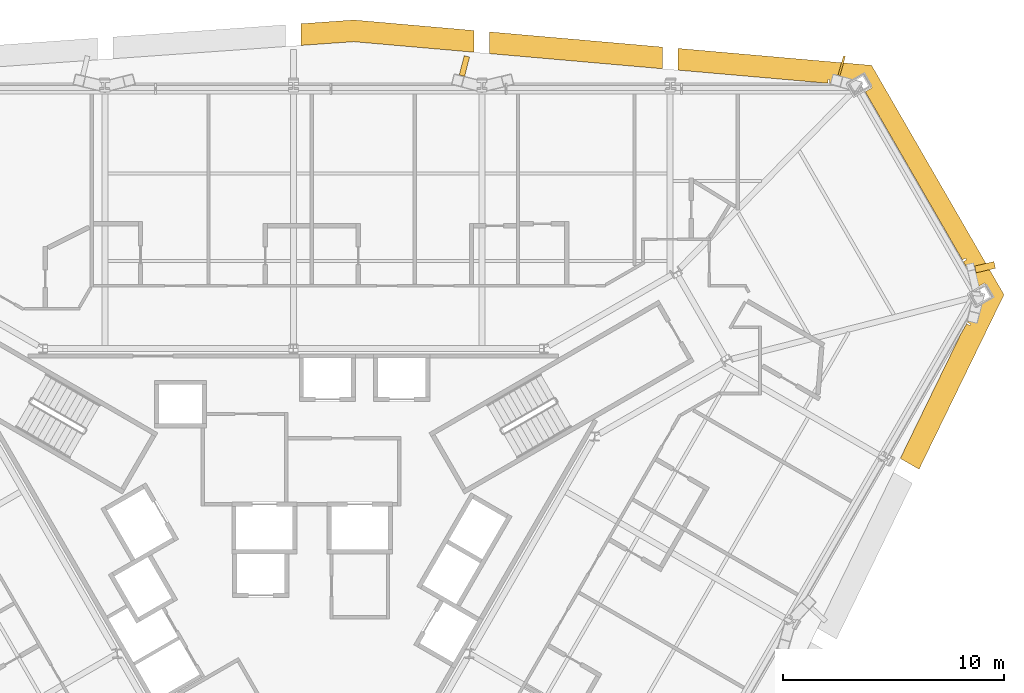
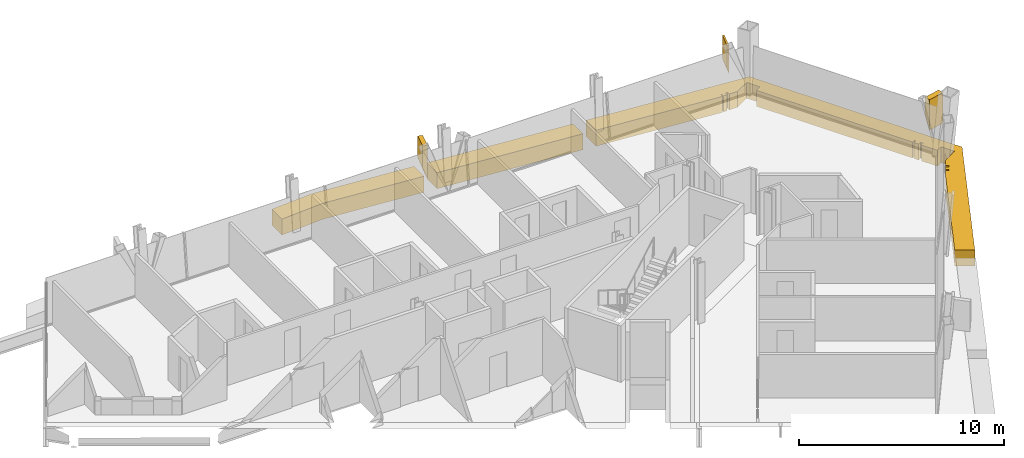
# One storey, part 17 of 17: 6 coverings.
"""IFC4 building model written with IfcOpenShell, lengths in metres."""

from ifc_helpers import new_model, si_unit, direction, frame, origin, place, context, subcontext, project, spatial, polyline, outline, extrude, material, layer, layer_set, type_object, element, save


model = new_model("IFC4")

# Units and contexts
model_context = context("Model", 3, precision=1e-05, world=origin(), true_north=direction((0.0, 1.0)))
body_context = subcontext(model_context, "Body", "Model", "MODEL_VIEW")
ifc_project = project(units=[si_unit("LENGTHUNIT", "METRE"), si_unit("AREAUNIT", "SQUARE_METRE"), si_unit("VOLUMEUNIT", "CUBIC_METRE"), si_unit("PLANEANGLEUNIT", "RADIAN"), si_unit("MASSUNIT", "GRAM", prefix="KILO")], contexts=[model_context])

# Site, building, storey
site_placement = place(None, origin())
site = spatial("IfcSite", under=ifc_project, at=site_placement, CompositionType="ELEMENT")
building_placement = place(site_placement, origin())
building = spatial("IfcBuilding", under=site, at=building_placement, Name="Verrane Prism Tower", CompositionType="ELEMENT")
storey_placement = place(building_placement, frame((0.0, 0.0, 62.0)))
storey = spatial("IfcBuildingStorey", under=building, at=storey_placement, Name="L13", CompositionType="ELEMENT", Elevation=62.0)

# Coverings
ifc_material_1 = material(Name="Warm limestone cladding", Category="masonry")
ifc_layer_1 = layer(ifc_material_1, 0.89990234375)
ifc_layer_set_1 = layer_set([ifc_layer_1], Name="Stone brace fin 900")
covering_type_1 = type_object("IfcCoveringType", Name="Stone brace fin 900", PredefinedType="CLADDING", material=ifc_layer_set_1)
covering_1_placement = place(storey_placement, frame((24.835693359375, 21.97216796875, 0.96923828125), z_axis=(0.0, 0.0, 1.0), x_axis=(-0.962414339861, 0.271585416454, 0.0)))
element("IfcCovering", 1, at=covering_1_placement, inside=storey, type_object=covering_type_1, Name="Stone brace fin N1 L13", PredefinedType="CLADDING", context=body_context, shape_type="SweptSolid", body=[
    extrude(outline(polyline([(0.092529296875, 1.6806640625), (0.0, 1.6806640625), (0.0, 0.0), (0.092529296875, 0.29638671875), (0.092529296875, 1.6806640625)])), frame((0.0, 0.449951171875, 0.0), z_axis=(0.0, -1.0, 0.0), x_axis=(1.0, 0.0, 0.0)), (0.0, 0.0, 1.0), 0.89990234375),
])
covering_2_placement = place(storey_placement, frame((7.853515625, 21.93896484375, 0.622314453125), z_axis=(0.0, 0.0, 1.0), x_axis=(-0.968753806552, 0.248024317943, 0.0)))
element("IfcCovering", 2, at=covering_2_placement, inside=storey, type_object=covering_type_1, Name="Stone brace fin N3 L13", PredefinedType="CLADDING", context=body_context, shape_type="SweptSolid", body=[
    extrude(outline(polyline([(0.2509765625, 2.027587890625), (0.0, 2.027587890625), (0.0, 0.0), (0.2509765625, 0.740966796875), (0.2509765625, 2.027587890625)])), frame((0.0, 0.449951171875, 0.0), z_axis=(0.0, -1.0, 0.0), x_axis=(1.0, 0.0, 0.0)), (0.0, 0.0, 1.0), 0.89990234375),
])
covering_3_placement = place(storey_placement, frame((31.304931640625, 12.7216796875, 0.84033203125), z_axis=(0.0, 0.0, 1.0), x_axis=(-0.226909155408, 0.973915928195, 0.0)))
element("IfcCovering", 3, at=covering_3_placement, inside=storey, type_object=covering_type_1, Name="Stone brace fin NE1 L13", PredefinedType="CLADDING", context=body_context, shape_type="SweptSolid", body=[
    extrude(outline(polyline([(0.31298828125, 1.8095703125), (0.0, 1.8095703125), (0.0, 0.0), (0.31298828125, 0.749755859375), (0.31298828125, 1.8095703125)])), frame((0.0, 0.449951171875, 0.0), z_axis=(0.0, -1.0, 0.0), x_axis=(1.0, 0.0, 0.0)), (0.0, 0.0, 1.0), 0.89990234375),
])
ifc_material_2 = material(Name="Warm limestone cladding", Category="masonry")
ifc_layer_2 = layer(ifc_material_2, 0.449951171875)
ifc_layer_set_2 = layer_set([ifc_layer_2], Name="Stone spandrel band 450")
covering_type_2 = type_object("IfcCoveringType", Name="Stone spandrel band 450", PredefinedType="CLADDING", material=ifc_layer_set_2)
covering_4_placement = place(storey_placement, frame((0.0, 0.0, -0.949951171875)))
element("IfcCovering", 4, at=covering_4_placement, inside=storey, type_object=covering_type_2, Name="Stone spandrel band L13 part 2", PredefinedType="CLADDING", context=body_context, shape_type="SweptSolid", body=[
    extrude(outline(polyline([(26.140869140625, 22.0), (17.382080078125, 22.767333984375), (17.382080078125, 21.78564453125), (24.026611328125, 21.203369140625), (24.159912109375, 21.203369140625), (24.159912109375, 21.3701171875), (24.23291015625, 21.3701171875), (24.23291015625, 21.203369140625), (24.432861328125, 21.203369140625), (24.432861328125, 21.3701171875), (24.548583984375, 21.3701171875), (24.548583984375, 21.203369140625), (25.02099609375, 21.203369140625), (25.775634765625, 21.63916015625), (26.15576171875, 20.98095703125), (25.854248046875, 20.806884765625), (30.244873046875, 13.201904296875), (30.388427734375, 13.284912109375), (30.43359375, 13.20654296875), (30.2900390625, 13.123779296875), (30.419677734375, 12.899169921875), (30.563232421875, 12.98193359375), (30.63818359375, 12.85205078125), (30.49462890625, 12.769287109375), (30.94677734375, 11.986572265625), (31.24560546875, 12.1591796875), (31.625732421875, 11.5009765625), (30.87255859375, 11.06591796875), (30.635986328125, 10.656494140625), (30.779052734375, 10.57373046875), (30.72119140625, 10.4736328125), (30.578125, 10.556396484375), (30.478271484375, 10.383056640625), (30.62109375, 10.300537109375), (30.584716796875, 10.2373046875), (30.44189453125, 10.320068359375), (30.194091796875, 9.89111328125), (27.4384765625, 4.2294921875), (28.28759765625, 3.7392578125), (32.128173828125, 11.629638671875), (26.140869140625, 22.0)])), origin(), (0.0, 0.0, 1.0), 0.949951171875),
])
covering_5_placement = place(storey_placement, frame((0.0, 0.0, -0.949951171875)))
element("IfcCovering", 5, at=covering_5_placement, inside=storey, type_object=covering_type_2, Name="Stone spandrel band L13 part 9", PredefinedType="CLADDING", context=body_context, shape_type="SweptSolid", body=[
    extrude(outline(polyline([(16.68212890625, 21.846923828125), (16.68212890625, 22.828857421875), (8.8662109375, 23.513671875), (8.8662109375, 22.531982421875), (16.68212890625, 21.846923828125)])), origin(), (0.0, 0.0, 1.0), 0.949951171875),
])
covering_6_placement = place(storey_placement, frame((0.0, 0.0, -0.949951171875)))
element("IfcCovering", 6, at=covering_6_placement, inside=storey, type_object=covering_type_2, Name="Stone spandrel band L13 part 10", PredefinedType="CLADDING", context=body_context, shape_type="SweptSolid", body=[
    extrude(outline(polyline([(8.166015625, 22.59326171875), (8.166015625, 23.5751953125), (2.7333984375, 24.051025390625), (0.35009765625, 23.882568359375), (0.35009765625, 22.902099609375), (2.72509765625, 23.070068359375), (8.166015625, 22.59326171875)])), origin(), (0.0, 0.0, 1.0), 0.949951171875),
])

save(model, "model.ifc")
